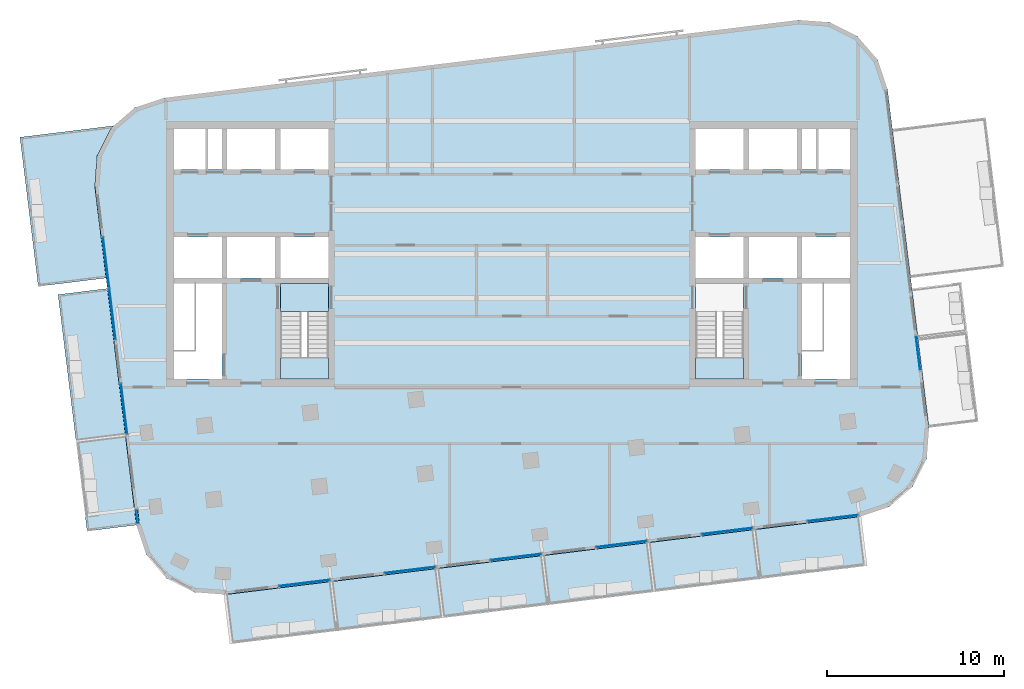
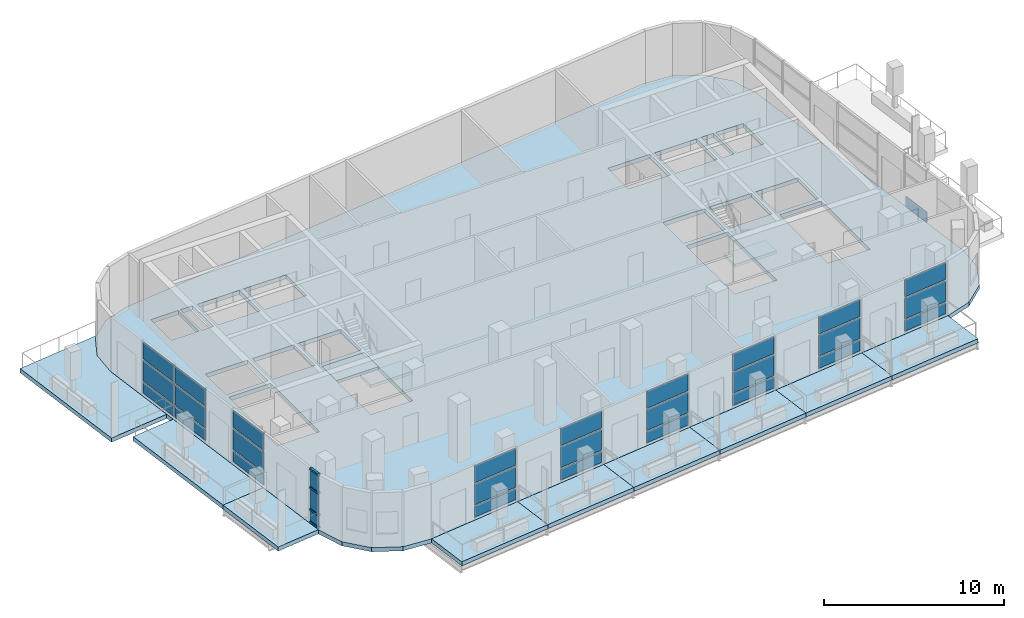
# One storey, part 5 of 13: 31 plates, 13 slabs, 4 members, 12 elements without a shape of their own.
"""IFC4 building model written with IfcOpenShell, lengths in metres."""

from ifc_helpers import new_model, si_unit, direction, frame, origin, origin_2d, place, context, subcontext, project, spatial, polyline, rectangle, outline, extrude, material, layer, layer_set, material_profile, profile_set, type_object, element, aggregate, save


model = new_model("IFC4")

# Units and contexts
model_context = context("Model", 3, precision=1e-05, world=origin(), true_north=direction((0.0, 1.0)))
body_context = subcontext(model_context, "Body", "Model", "MODEL_VIEW")
ifc_project = project(units=[si_unit("LENGTHUNIT", "METRE"), si_unit("AREAUNIT", "SQUARE_METRE"), si_unit("VOLUMEUNIT", "CUBIC_METRE"), si_unit("PLANEANGLEUNIT", "RADIAN"), si_unit("MASSUNIT", "GRAM", prefix="KILO")], contexts=[model_context])

# Site, building, storey
site_placement = place(None, origin())
site = spatial("IfcSite", under=ifc_project, at=site_placement, CompositionType="ELEMENT")
building_placement = place(site_placement, origin())
building = spatial("IfcBuilding", under=site, at=building_placement, Name="Torana Hotel and Residences", CompositionType="ELEMENT")
storey_placement = place(building_placement, frame((0.0, 0.0, 342.60009765625)))
storey = spatial("IfcBuildingStorey", under=building, at=storey_placement, Name="L90", CompositionType="ELEMENT", Elevation=342.60009765625)

# Curtain wall, members
ifc_material_1 = material(Name="Dark anodised aluminium", Category="aluminium")
ifc_layer_1 = layer(ifc_material_1, 0.199951171875)
ifc_layer_set_1 = layer_set([ifc_layer_1], Name="CW3 SKY CLUB UNITISED CURTAIN WALL")
curtain_wall_type = type_object("IfcCurtainWallType", Name="CW3 SKY CLUB UNITISED CURTAIN WALL", PredefinedType="NOTDEFINED", material=ifc_layer_set_1)
curtain_wall_1_placement = place(storey_placement, origin())
curtain_wall_1 = element("IfcCurtainWall", 1, at=curtain_wall_1_placement, inside=storey, type_object=curtain_wall_type, Name="Curtain wall CW3 L90 e0.9-6", PredefinedType="NOTDEFINED")
ifc_material_2 = material(Name="Dark anodised aluminium", Category="aluminium")
ifc_material_profile = material_profile(ifc_material_2, rectangle(XDim=0.14990234375, YDim=0.1201171875, at=origin_2d()), Name="CW3 TRANSOM 150x120")
ifc_profile_set = profile_set([ifc_material_profile], Name="Dark anodised aluminium")
member_type = type_object("IfcMemberType", Name="CW3 TRANSOM 150x120", PredefinedType="USERDEFINED", material=ifc_profile_set)
member_1_placement = place(storey_placement, frame((-21.1640625, -21.9345703125, 0.059814453125), z_axis=(0.121868344815, -0.992546274252, 0.0), x_axis=(0.992546274252, 0.121868344815, 0.0)))
member_1 = element("IfcMember", 2, at=member_1_placement, type_object=member_type, Name="CW3 transom 1.1", ObjectType="TRANSOM", PredefinedType="USERDEFINED", context=body_context, shape_type="SweptSolid", body=[
    extrude(rectangle(XDim=0.14990234375, YDim=0.1201171875, at=origin_2d()), origin(), (0.0, 0.0, 1.0), 0.735107421875),
])
member_2_placement = place(storey_placement, frame((-21.1640625, -21.9345703125, 0.89990234375), z_axis=(0.121868344815, -0.992546274252, 0.0), x_axis=(0.992546274252, 0.121868344815, 0.0)))
member_2 = element("IfcMember", 3, at=member_2_placement, type_object=member_type, Name="CW3 transom 1.2", ObjectType="TRANSOM", PredefinedType="USERDEFINED", context=body_context, shape_type="SweptSolid", body=[
    extrude(rectangle(XDim=0.14990234375, YDim=0.1201171875, at=origin_2d()), origin(), (0.0, 0.0, 1.0), 0.735107421875),
])
member_3_placement = place(storey_placement, frame((-21.1640625, -21.9345703125, 2.39990234375), z_axis=(0.121868344815, -0.992546274252, 0.0), x_axis=(0.992546274252, 0.121868344815, 0.0)))
member_3 = element("IfcMember", 4, at=member_3_placement, type_object=member_type, Name="CW3 transom 1.3", ObjectType="TRANSOM", PredefinedType="USERDEFINED", context=body_context, shape_type="SweptSolid", body=[
    extrude(rectangle(XDim=0.14990234375, YDim=0.1201171875, at=origin_2d()), origin(), (0.0, 0.0, 1.0), 0.735107421875),
])
member_4_placement = place(storey_placement, frame((-21.1640625, -21.9345703125, 3.659912109375), z_axis=(0.121868344815, -0.992546274252, 0.0), x_axis=(0.992546274252, 0.121868344815, 0.0)))
member_4 = element("IfcMember", 5, at=member_4_placement, type_object=member_type, Name="CW3 transom 1.4", ObjectType="TRANSOM", PredefinedType="USERDEFINED", context=body_context, shape_type="SweptSolid", body=[
    extrude(rectangle(XDim=0.14990234375, YDim=0.1201171875, at=origin_2d()), origin(), (0.0, 0.0, 1.0), 0.735107421875),
])

# Slabs
ifc_material_3 = material(Name="Concrete C40/50", Category="concrete")
ifc_layer_2 = layer(ifc_material_3, 0.280029296875)
ifc_layer_set_2 = layer_set([ifc_layer_2], Name="BAL1 BALCONY SLAB 280")
slab_type_1 = type_object("IfcSlabType", Name="BAL1 BALCONY SLAB 280", PredefinedType="USERDEFINED", material=ifc_layer_set_2)
slab_1_placement = place(storey_placement, frame((0.0, 0.0, -0.280029296875)))
element("IfcSlab", 6, at=slab_1_placement, inside=storey, type_object=slab_type_1, Name="Balcony 01", ObjectType="BALCONY", PredefinedType="USERDEFINED", context=body_context, shape_type="SweptSolid", body=[
    extrude(outline(polyline([(-15.80615234375, -29.4677734375), (-9.85107421875, -28.736572265625), (-10.192138671875, -25.957275390625), (-16.1474609375, -26.6884765625), (-15.80615234375, -29.4677734375)])), origin(), (0.0, 0.0, 1.0), 0.280029296875),
])
slab_2_placement = place(storey_placement, frame((0.0, 0.0, -0.280029296875)))
element("IfcSlab", 7, at=slab_2_placement, inside=storey, type_object=slab_type_1, Name="Balcony 02", ObjectType="BALCONY", PredefinedType="USERDEFINED", context=body_context, shape_type="SweptSolid", body=[
    extrude(outline(polyline([(-9.85107421875, -28.736572265625), (-3.895751953125, -28.005126953125), (-4.23681640625, -25.22607421875), (-10.192138671875, -25.957275390625), (-9.85107421875, -28.736572265625)])), origin(), (0.0, 0.0, 1.0), 0.280029296875),
])
slab_3_placement = place(storey_placement, frame((0.0, 0.0, -0.280029296875)))
element("IfcSlab", 8, at=slab_3_placement, inside=storey, type_object=slab_type_1, Name="Balcony 03", ObjectType="BALCONY", PredefinedType="USERDEFINED", context=body_context, shape_type="SweptSolid", body=[
    extrude(outline(polyline([(-3.895751953125, -28.005126953125), (2.0595703125, -27.27392578125), (1.718505859375, -24.494873046875), (-4.23681640625, -25.22607421875), (-3.895751953125, -28.005126953125)])), origin(), (0.0, 0.0, 1.0), 0.280029296875),
])
slab_4_placement = place(storey_placement, frame((0.0, 0.0, -0.280029296875)))
element("IfcSlab", 9, at=slab_4_placement, inside=storey, type_object=slab_type_1, Name="Balcony 04", ObjectType="BALCONY", PredefinedType="USERDEFINED", context=body_context, shape_type="SweptSolid", body=[
    extrude(outline(polyline([(2.0595703125, -27.27392578125), (8.014892578125, -26.542724609375), (7.673583984375, -23.763671875), (1.718505859375, -24.494873046875), (2.0595703125, -27.27392578125)])), origin(), (0.0, 0.0, 1.0), 0.280029296875),
])
slab_5_placement = place(storey_placement, frame((0.0, 0.0, -0.280029296875)))
element("IfcSlab", 10, at=slab_5_placement, inside=storey, type_object=slab_type_1, Name="Balcony 05", ObjectType="BALCONY", PredefinedType="USERDEFINED", context=body_context, shape_type="SweptSolid", body=[
    extrude(outline(polyline([(8.014892578125, -26.542724609375), (13.97021484375, -25.8115234375), (13.62890625, -23.032470703125), (7.673583984375, -23.763671875), (8.014892578125, -26.542724609375)])), origin(), (0.0, 0.0, 1.0), 0.280029296875),
])
slab_6_placement = place(storey_placement, frame((0.0, 0.0, -0.280029296875)))
element("IfcSlab", 11, at=slab_6_placement, inside=storey, type_object=slab_type_1, Name="Balcony 06", ObjectType="BALCONY", PredefinedType="USERDEFINED", context=body_context, shape_type="SweptSolid", body=[
    extrude(outline(polyline([(13.97021484375, -25.8115234375), (19.92529296875, -25.080322265625), (19.584228515625, -22.30126953125), (13.62890625, -23.032470703125), (13.97021484375, -25.8115234375)])), origin(), (0.0, 0.0, 1.0), 0.280029296875),
])
slab_7_placement = place(storey_placement, frame((0.0, 0.0, -0.280029296875)))
element("IfcSlab", 12, at=slab_7_placement, inside=storey, type_object=slab_type_1, Name="Balcony 07", ObjectType="BALCONY", PredefinedType="USERDEFINED", context=body_context, shape_type="SweptSolid", body=[
    extrude(outline(polyline([(-23.94140625, -23.11181640625), (-21.162353515625, -22.7705078125), (-21.783935546875, -17.70849609375), (-24.56298828125, -18.0498046875), (-23.94140625, -23.11181640625)])), origin(), (0.0, 0.0, 1.0), 0.280029296875),
])
slab_8_placement = place(storey_placement, frame((0.0, 0.0, -0.280029296875)))
element("IfcSlab", 13, at=slab_8_placement, inside=storey, type_object=slab_type_1, Name="Balcony 08", ObjectType="BALCONY", PredefinedType="USERDEFINED", context=body_context, shape_type="SweptSolid", body=[
    extrude(outline(polyline([(-24.56298828125, -18.0498046875), (-21.783935546875, -17.70849609375), (-22.79833984375, -9.445556640625), (-25.57763671875, -9.786865234375), (-24.56298828125, -18.0498046875)])), origin(), (0.0, 0.0, 1.0), 0.280029296875),
])
slab_9_placement = place(storey_placement, frame((0.0, 0.0, -0.280029296875)))
element("IfcSlab", 14, at=slab_9_placement, inside=storey, type_object=slab_type_1, Name="Balcony 09", ObjectType="BALCONY", PredefinedType="USERDEFINED", context=body_context, shape_type="SweptSolid", body=[
    extrude(outline(polyline([(-26.69287109375, -9.319091796875), (-22.87158203125, -8.85009765625), (-23.502197265625, -3.713623046875), (-23.3720703125, -1.962646484375), (-22.581787109375, -0.394775390625), (-22.43701171875, -0.27001953125), (-27.724365234375, -0.919189453125), (-26.69287109375, -9.319091796875)])), origin(), (0.0, 0.0, 1.0), 0.280029296875),
])

# Curtain wall, plates
curtain_wall_2_placement = place(storey_placement, origin())
curtain_wall_2 = element("IfcCurtainWall", 15, at=curtain_wall_2_placement, inside=storey, type_object=curtain_wall_type, Name="Curtain wall CW3 L90 e0.9-2", PredefinedType="NOTDEFINED")
ifc_material_4 = material(Name="Glass dark tinted double glazed unit", Category="glass")
ifc_layer_3 = layer(ifc_material_4, 0.031982421875)
ifc_layer_set_3 = layer_set([ifc_layer_3], Name="CW3 DARK GLASS PANEL 32")
plate_type = type_object("IfcPlateType", Name="CW3 DARK GLASS PANEL 32", PredefinedType="CURTAIN_PANEL", material=ifc_layer_set_3)
plate_1_placement = place(storey_placement, frame((-22.876953125, -7.986083984375, 0.1201171875), z_axis=(0.0, 0.0, 1.0), x_axis=(0.121875529794, -0.992545392029, 0.0)))
plate_1 = element("IfcPlate", 16, at=plate_1_placement, type_object=plate_type, Name="CW3 panel 1.1", PredefinedType="CURTAIN_PANEL", context=body_context, shape_type="SweptSolid", body=[
    extrude(rectangle(XDim=2.853759765625, YDim=0.031982421875, at=origin_2d()), origin(), (0.0, 0.0, 1.0), 0.719970703125),
])
plate_2_placement = place(storey_placement, frame((-22.876953125, -7.986083984375, 0.9599609375), z_axis=(0.0, 0.0, 1.0), x_axis=(0.121875529794, -0.992545392029, 0.0)))
plate_2 = element("IfcPlate", 17, at=plate_2_placement, type_object=plate_type, Name="CW3 panel 1.2", PredefinedType="CURTAIN_PANEL", context=body_context, shape_type="SweptSolid", body=[
    extrude(rectangle(XDim=2.853759765625, YDim=0.031982421875, at=origin_2d()), origin(), (0.0, 0.0, 1.0), 1.3798828125),
])
plate_3_placement = place(storey_placement, frame((-22.876953125, -7.986083984375, 2.4599609375), z_axis=(0.0, 0.0, 1.0), x_axis=(0.121875529794, -0.992545392029, 0.0)))
plate_3 = element("IfcPlate", 18, at=plate_3_placement, type_object=plate_type, Name="CW3 panel 1.3", PredefinedType="CURTAIN_PANEL", context=body_context, shape_type="SweptSolid", body=[
    extrude(rectangle(XDim=2.853759765625, YDim=0.031982421875, at=origin_2d()), origin(), (0.0, 0.0, 1.0), 1.139892578125),
])
plate_4_placement = place(storey_placement, frame((-22.5205078125, -10.88818359375, 0.1201171875), z_axis=(0.0, 0.0, 1.0), x_axis=(0.121875529794, -0.992545392029, 0.0)))
plate_4 = element("IfcPlate", 19, at=plate_4_placement, type_object=plate_type, Name="CW3 panel 2.1", PredefinedType="CURTAIN_PANEL", context=body_context, shape_type="SweptSolid", body=[
    extrude(rectangle(XDim=2.853759765625, YDim=0.031982421875, at=origin_2d()), origin(), (0.0, 0.0, 1.0), 0.719970703125),
])
plate_5_placement = place(storey_placement, frame((-22.5205078125, -10.88818359375, 0.9599609375), z_axis=(0.0, 0.0, 1.0), x_axis=(0.121875529794, -0.992545392029, 0.0)))
plate_5 = element("IfcPlate", 20, at=plate_5_placement, type_object=plate_type, Name="CW3 panel 2.2", PredefinedType="CURTAIN_PANEL", context=body_context, shape_type="SweptSolid", body=[
    extrude(rectangle(XDim=2.853759765625, YDim=0.031982421875, at=origin_2d()), origin(), (0.0, 0.0, 1.0), 1.3798828125),
])
plate_6_placement = place(storey_placement, frame((-22.5205078125, -10.88818359375, 2.4599609375), z_axis=(0.0, 0.0, 1.0), x_axis=(0.121875529794, -0.992545392029, 0.0)))
plate_6 = element("IfcPlate", 21, at=plate_6_placement, type_object=plate_type, Name="CW3 panel 2.3", PredefinedType="CURTAIN_PANEL", context=body_context, shape_type="SweptSolid", body=[
    extrude(rectangle(XDim=2.853759765625, YDim=0.031982421875, at=origin_2d()), origin(), (0.0, 0.0, 1.0), 1.139892578125),
])
aggregate(curtain_wall_2, [plate_1, plate_2, plate_3, plate_4, plate_5, plate_6])

curtain_wall_3_placement = place(storey_placement, origin())
curtain_wall_3 = element("IfcCurtainWall", 22, at=curtain_wall_3_placement, inside=storey, type_object=curtain_wall_type, Name="Curtain wall CW3 L90 e0.9-4", PredefinedType="NOTDEFINED")
plate_7_placement = place(storey_placement, frame((-21.864990234375, -16.22607421875, 0.1201171875), z_axis=(0.0, 0.0, 1.0), x_axis=(0.121857464048, -0.992547610171, 0.0)))
plate_7 = element("IfcPlate", 23, at=plate_7_placement, type_object=plate_type, Name="CW3 panel 1.1", PredefinedType="CURTAIN_PANEL", context=body_context, shape_type="SweptSolid", body=[
    extrude(rectangle(XDim=2.822509765625, YDim=0.031982421875, at=origin_2d()), origin(), (0.0, 0.0, 1.0), 0.719970703125),
])
plate_8_placement = place(storey_placement, frame((-21.864990234375, -16.22607421875, 0.9599609375), z_axis=(0.0, 0.0, 1.0), x_axis=(0.121857464048, -0.992547610171, 0.0)))
plate_8 = element("IfcPlate", 24, at=plate_8_placement, type_object=plate_type, Name="CW3 panel 1.2", PredefinedType="CURTAIN_PANEL", context=body_context, shape_type="SweptSolid", body=[
    extrude(rectangle(XDim=2.822509765625, YDim=0.031982421875, at=origin_2d()), origin(), (0.0, 0.0, 1.0), 1.3798828125),
])
plate_9_placement = place(storey_placement, frame((-21.864990234375, -16.22607421875, 2.4599609375), z_axis=(0.0, 0.0, 1.0), x_axis=(0.121857464048, -0.992547610171, 0.0)))
plate_9 = element("IfcPlate", 25, at=plate_9_placement, type_object=plate_type, Name="CW3 panel 1.3", PredefinedType="CURTAIN_PANEL", context=body_context, shape_type="SweptSolid", body=[
    extrude(rectangle(XDim=2.822509765625, YDim=0.031982421875, at=origin_2d()), origin(), (0.0, 0.0, 1.0), 1.139892578125),
])
aggregate(curtain_wall_3, [plate_7, plate_8, plate_9])

# Plate
plate_10_placement = place(storey_placement, frame((-21.119384765625, -22.299560546875, 0.1201171875), z_axis=(0.0, 0.0, 1.0), x_axis=(0.121883404477, -0.992544425058, 0.0)))
plate_10 = element("IfcPlate", 26, at=plate_10_placement, type_object=plate_type, Name="CW3 panel 1.1", PredefinedType="CURTAIN_PANEL", context=body_context, shape_type="SweptSolid", body=[
    extrude(rectangle(XDim=0.7353515625, YDim=0.031982421875, at=origin_2d()), origin(), (0.0, 0.0, 1.0), 0.719970703125),
])

plate_11_placement = place(storey_placement, frame((-21.119384765625, -22.299560546875, 0.9599609375), z_axis=(0.0, 0.0, 1.0), x_axis=(0.121883404477, -0.992544425058, 0.0)))
plate_11 = element("IfcPlate", 27, at=plate_11_placement, type_object=plate_type, Name="CW3 panel 1.2", PredefinedType="CURTAIN_PANEL", context=body_context, shape_type="SweptSolid", body=[
    extrude(rectangle(XDim=0.7353515625, YDim=0.031982421875, at=origin_2d()), origin(), (0.0, 0.0, 1.0), 1.3798828125),
])

plate_12_placement = place(storey_placement, frame((-21.119384765625, -22.299560546875, 2.4599609375), z_axis=(0.0, 0.0, 1.0), x_axis=(0.121883404477, -0.992544425058, 0.0)))
plate_12 = element("IfcPlate", 28, at=plate_12_placement, type_object=plate_type, Name="CW3 panel 1.3", PredefinedType="CURTAIN_PANEL", context=body_context, shape_type="SweptSolid", body=[
    extrude(rectangle(XDim=0.7353515625, YDim=0.031982421875, at=origin_2d()), origin(), (0.0, 0.0, 1.0), 1.139892578125),
])

aggregate(curtain_wall_1, [member_1, member_2, member_3, member_4, plate_10, plate_11, plate_12])

# Curtain wall, plates
curtain_wall_4_placement = place(storey_placement, origin())
curtain_wall_4 = element("IfcCurtainWall", 29, at=curtain_wall_4_placement, inside=storey, type_object=curtain_wall_type, Name="Curtain wall CW3 L90 e0.14-2", PredefinedType="NOTDEFINED")
plate_13_placement = place(storey_placement, frame((-11.693115234375, -26.040771484375, 0.1201171875), z_axis=(0.0, 0.0, 1.0), x_axis=(0.992546285043, 0.121868256929, 0.0)))
plate_13 = element("IfcPlate", 30, at=plate_13_placement, type_object=plate_type, Name="CW3 panel 1.1", PredefinedType="CURTAIN_PANEL", context=body_context, shape_type="SweptSolid", body=[
    extrude(rectangle(XDim=2.85986328125, YDim=0.031982421875, at=origin_2d()), origin(), (0.0, 0.0, 1.0), 0.719970703125),
])
plate_14_placement = place(storey_placement, frame((-11.693115234375, -26.040771484375, 0.9599609375), z_axis=(0.0, 0.0, 1.0), x_axis=(0.992546285043, 0.121868256929, 0.0)))
plate_14 = element("IfcPlate", 31, at=plate_14_placement, type_object=plate_type, Name="CW3 panel 1.2", PredefinedType="CURTAIN_PANEL", context=body_context, shape_type="SweptSolid", body=[
    extrude(rectangle(XDim=2.85986328125, YDim=0.031982421875, at=origin_2d()), origin(), (0.0, 0.0, 1.0), 1.3798828125),
])
plate_15_placement = place(storey_placement, frame((-11.693115234375, -26.040771484375, 2.4599609375), z_axis=(0.0, 0.0, 1.0), x_axis=(0.992546285043, 0.121868256929, 0.0)))
plate_15 = element("IfcPlate", 32, at=plate_15_placement, type_object=plate_type, Name="CW3 panel 1.3", PredefinedType="CURTAIN_PANEL", context=body_context, shape_type="SweptSolid", body=[
    extrude(rectangle(XDim=2.85986328125, YDim=0.031982421875, at=origin_2d()), origin(), (0.0, 0.0, 1.0), 1.139892578125),
])
aggregate(curtain_wall_4, [plate_13, plate_14, plate_15])

curtain_wall_5_placement = place(storey_placement, origin())
curtain_wall_5 = element("IfcCurtainWall", 33, at=curtain_wall_5_placement, inside=storey, type_object=curtain_wall_type, Name="Curtain wall CW3 L90 e0.14-4", PredefinedType="NOTDEFINED")
plate_16_placement = place(storey_placement, frame((-5.738037109375, -25.3095703125, 0.1201171875), z_axis=(0.0, 0.0, 1.0), x_axis=(0.992546780088, 0.121864225005, 0.0)))
plate_16 = element("IfcPlate", 34, at=plate_16_placement, type_object=plate_type, Name="CW3 panel 1.1", PredefinedType="CURTAIN_PANEL", context=body_context, shape_type="SweptSolid", body=[
    extrude(rectangle(XDim=2.860107421875, YDim=0.031982421875, at=origin_2d()), origin(), (0.0, 0.0, 1.0), 0.719970703125),
])
plate_17_placement = place(storey_placement, frame((-5.738037109375, -25.3095703125, 0.9599609375), z_axis=(0.0, 0.0, 1.0), x_axis=(0.992546780088, 0.121864225005, 0.0)))
plate_17 = element("IfcPlate", 35, at=plate_17_placement, type_object=plate_type, Name="CW3 panel 1.2", PredefinedType="CURTAIN_PANEL", context=body_context, shape_type="SweptSolid", body=[
    extrude(rectangle(XDim=2.860107421875, YDim=0.031982421875, at=origin_2d()), origin(), (0.0, 0.0, 1.0), 1.3798828125),
])
plate_18_placement = place(storey_placement, frame((-5.738037109375, -25.3095703125, 2.4599609375), z_axis=(0.0, 0.0, 1.0), x_axis=(0.992546780088, 0.121864225005, 0.0)))
plate_18 = element("IfcPlate", 36, at=plate_18_placement, type_object=plate_type, Name="CW3 panel 1.3", PredefinedType="CURTAIN_PANEL", context=body_context, shape_type="SweptSolid", body=[
    extrude(rectangle(XDim=2.860107421875, YDim=0.031982421875, at=origin_2d()), origin(), (0.0, 0.0, 1.0), 1.139892578125),
])
aggregate(curtain_wall_5, [plate_16, plate_17, plate_18])

curtain_wall_6_placement = place(storey_placement, origin())
curtain_wall_6 = element("IfcCurtainWall", 37, at=curtain_wall_6_placement, inside=storey, type_object=curtain_wall_type, Name="Curtain wall CW3 L90 e0.14-6", PredefinedType="NOTDEFINED")
plate_19_placement = place(storey_placement, frame((0.21728515625, -24.578369140625, 0.1201171875), z_axis=(0.0, 0.0, 1.0), x_axis=(0.992546780088, 0.121864225005, 0.0)))
plate_19 = element("IfcPlate", 38, at=plate_19_placement, type_object=plate_type, Name="CW3 panel 1.1", PredefinedType="CURTAIN_PANEL", context=body_context, shape_type="SweptSolid", body=[
    extrude(rectangle(XDim=2.860107421875, YDim=0.031982421875, at=origin_2d()), origin(), (0.0, 0.0, 1.0), 0.719970703125),
])
plate_20_placement = place(storey_placement, frame((0.21728515625, -24.578369140625, 0.9599609375), z_axis=(0.0, 0.0, 1.0), x_axis=(0.992546780088, 0.121864225005, 0.0)))
plate_20 = element("IfcPlate", 39, at=plate_20_placement, type_object=plate_type, Name="CW3 panel 1.2", PredefinedType="CURTAIN_PANEL", context=body_context, shape_type="SweptSolid", body=[
    extrude(rectangle(XDim=2.860107421875, YDim=0.031982421875, at=origin_2d()), origin(), (0.0, 0.0, 1.0), 1.3798828125),
])
plate_21_placement = place(storey_placement, frame((0.21728515625, -24.578369140625, 2.4599609375), z_axis=(0.0, 0.0, 1.0), x_axis=(0.992546780088, 0.121864225005, 0.0)))
plate_21 = element("IfcPlate", 40, at=plate_21_placement, type_object=plate_type, Name="CW3 panel 1.3", PredefinedType="CURTAIN_PANEL", context=body_context, shape_type="SweptSolid", body=[
    extrude(rectangle(XDim=2.860107421875, YDim=0.031982421875, at=origin_2d()), origin(), (0.0, 0.0, 1.0), 1.139892578125),
])
aggregate(curtain_wall_6, [plate_19, plate_20, plate_21])

curtain_wall_7_placement = place(storey_placement, origin())
curtain_wall_7 = element("IfcCurtainWall", 41, at=curtain_wall_7_placement, inside=storey, type_object=curtain_wall_type, Name="Curtain wall CW3 L90 e0.14-8", PredefinedType="NOTDEFINED")
plate_22_placement = place(storey_placement, frame((6.172607421875, -23.84716796875, 0.1201171875), z_axis=(0.0, 0.0, 1.0), x_axis=(0.992546285043, 0.121868256929, 0.0)))
plate_22 = element("IfcPlate", 42, at=plate_22_placement, type_object=plate_type, Name="CW3 panel 1.1", PredefinedType="CURTAIN_PANEL", context=body_context, shape_type="SweptSolid", body=[
    extrude(rectangle(XDim=2.85986328125, YDim=0.031982421875, at=origin_2d()), origin(), (0.0, 0.0, 1.0), 0.719970703125),
])
plate_23_placement = place(storey_placement, frame((6.172607421875, -23.84716796875, 0.9599609375), z_axis=(0.0, 0.0, 1.0), x_axis=(0.992546285043, 0.121868256929, 0.0)))
plate_23 = element("IfcPlate", 43, at=plate_23_placement, type_object=plate_type, Name="CW3 panel 1.2", PredefinedType="CURTAIN_PANEL", context=body_context, shape_type="SweptSolid", body=[
    extrude(rectangle(XDim=2.85986328125, YDim=0.031982421875, at=origin_2d()), origin(), (0.0, 0.0, 1.0), 1.3798828125),
])
plate_24_placement = place(storey_placement, frame((6.172607421875, -23.84716796875, 2.4599609375), z_axis=(0.0, 0.0, 1.0), x_axis=(0.992546285043, 0.121868256929, 0.0)))
plate_24 = element("IfcPlate", 44, at=plate_24_placement, type_object=plate_type, Name="CW3 panel 1.3", PredefinedType="CURTAIN_PANEL", context=body_context, shape_type="SweptSolid", body=[
    extrude(rectangle(XDim=2.85986328125, YDim=0.031982421875, at=origin_2d()), origin(), (0.0, 0.0, 1.0), 1.139892578125),
])
aggregate(curtain_wall_7, [plate_22, plate_23, plate_24])

curtain_wall_8_placement = place(storey_placement, origin())
curtain_wall_8 = element("IfcCurtainWall", 45, at=curtain_wall_8_placement, inside=storey, type_object=curtain_wall_type, Name="Curtain wall CW3 L90 e0.14-10", PredefinedType="NOTDEFINED")
plate_25_placement = place(storey_placement, frame((12.1279296875, -23.115966796875, 0.1201171875), z_axis=(0.0, 0.0, 1.0), x_axis=(0.992546285043, 0.121868256929, 0.0)))
plate_25 = element("IfcPlate", 46, at=plate_25_placement, type_object=plate_type, Name="CW3 panel 1.1", PredefinedType="CURTAIN_PANEL", context=body_context, shape_type="SweptSolid", body=[
    extrude(rectangle(XDim=2.85986328125, YDim=0.031982421875, at=origin_2d()), origin(), (0.0, 0.0, 1.0), 0.719970703125),
])
plate_26_placement = place(storey_placement, frame((12.1279296875, -23.115966796875, 0.9599609375), z_axis=(0.0, 0.0, 1.0), x_axis=(0.992546285043, 0.121868256929, 0.0)))
plate_26 = element("IfcPlate", 47, at=plate_26_placement, type_object=plate_type, Name="CW3 panel 1.2", PredefinedType="CURTAIN_PANEL", context=body_context, shape_type="SweptSolid", body=[
    extrude(rectangle(XDim=2.85986328125, YDim=0.031982421875, at=origin_2d()), origin(), (0.0, 0.0, 1.0), 1.3798828125),
])
plate_27_placement = place(storey_placement, frame((12.1279296875, -23.115966796875, 2.4599609375), z_axis=(0.0, 0.0, 1.0), x_axis=(0.992546285043, 0.121868256929, 0.0)))
plate_27 = element("IfcPlate", 48, at=plate_27_placement, type_object=plate_type, Name="CW3 panel 1.3", PredefinedType="CURTAIN_PANEL", context=body_context, shape_type="SweptSolid", body=[
    extrude(rectangle(XDim=2.85986328125, YDim=0.031982421875, at=origin_2d()), origin(), (0.0, 0.0, 1.0), 1.139892578125),
])
aggregate(curtain_wall_8, [plate_25, plate_26, plate_27])

curtain_wall_9_placement = place(storey_placement, origin())
curtain_wall_9 = element("IfcCurtainWall", 49, at=curtain_wall_9_placement, inside=storey, type_object=curtain_wall_type, Name="Curtain wall CW3 L90 e0.14-12", PredefinedType="NOTDEFINED")
plate_28_placement = place(storey_placement, frame((18.071044921875, -22.38623046875, 0.1201171875), z_axis=(0.0, 0.0, 1.0), x_axis=(0.992546950189, 0.121862839581, 0.0)))
plate_28 = element("IfcPlate", 50, at=plate_28_placement, type_object=plate_type, Name="CW3 panel 1.1", PredefinedType="CURTAIN_PANEL", context=body_context, shape_type="SweptSolid", body=[
    extrude(rectangle(XDim=2.83544921875, YDim=0.031982421875, at=origin_2d()), origin(), (0.0, 0.0, 1.0), 0.719970703125),
])
plate_29_placement = place(storey_placement, frame((18.071044921875, -22.38623046875, 0.9599609375), z_axis=(0.0, 0.0, 1.0), x_axis=(0.992546950189, 0.121862839581, 0.0)))
plate_29 = element("IfcPlate", 51, at=plate_29_placement, type_object=plate_type, Name="CW3 panel 1.2", PredefinedType="CURTAIN_PANEL", context=body_context, shape_type="SweptSolid", body=[
    extrude(rectangle(XDim=2.83544921875, YDim=0.031982421875, at=origin_2d()), origin(), (0.0, 0.0, 1.0), 1.3798828125),
])
plate_30_placement = place(storey_placement, frame((18.071044921875, -22.38623046875, 2.4599609375), z_axis=(0.0, 0.0, 1.0), x_axis=(0.992546950189, 0.121862839581, 0.0)))
plate_30 = element("IfcPlate", 52, at=plate_30_placement, type_object=plate_type, Name="CW3 panel 1.3", PredefinedType="CURTAIN_PANEL", context=body_context, shape_type="SweptSolid", body=[
    extrude(rectangle(XDim=2.83544921875, YDim=0.031982421875, at=origin_2d()), origin(), (0.0, 0.0, 1.0), 1.139892578125),
])
aggregate(curtain_wall_9, [plate_28, plate_29, plate_30])

# Curtain wall, plate
curtain_wall_10_placement = place(storey_placement, origin())
curtain_wall_10 = element("IfcCurtainWall", 53, at=curtain_wall_10_placement, inside=storey, type_object=curtain_wall_type, Name="Curtain wall CW3 L90 e0.19-2", PredefinedType="NOTDEFINED")
plate_31_placement = place(storey_placement, frame((22.885009765625, -13.080322265625, 0.1201171875), z_axis=(0.0, 0.0, 1.0), x_axis=(-0.121912701141, 0.992540827019, 0.0)))
plate_31 = element("IfcPlate", 54, at=plate_31_placement, type_object=plate_type, Name="CW3 panel 1.1", PredefinedType="CURTAIN_PANEL", context=body_context, shape_type="SweptSolid", body=[
    extrude(rectangle(XDim=1.9599609375, YDim=0.031982421875, at=origin_2d()), origin(), (0.0, 0.0, 1.0), 0.719970703125),
])
aggregate(curtain_wall_10, [plate_31])

# Slab
ifc_material_5 = material(Name="Concrete C40/50", Category="concrete")
ifc_layer_4 = layer(ifc_material_5, 0.280029296875)
ifc_layer_set_4 = layer_set([ifc_layer_4], Name="FLOOR SLAB PT 280")
slab_type_2 = type_object("IfcSlabType", Name="FLOOR SLAB PT 280", PredefinedType="FLOOR", material=ifc_layer_set_4)
slab_10_placement = place(storey_placement, frame((0.0, 0.0, -0.280029296875)))
element("IfcSlab", 55, at=slab_10_placement, inside=storey, type_object=slab_type_2, Name="Floor slab", PredefinedType="FLOOR", context=body_context, shape_type="SweptSolid", body=[
    extrude(outline(polyline([(21.162353515625, 1.7705078125), (20.612548828125, 3.43798828125), (19.46630859375, 4.76806640625), (17.8984375, 5.558349609375), (16.1474609375, 5.6884765625), (-19.584228515625, 1.30126953125), (-21.251708984375, 0.75146484375), (-22.581787109375, -0.394775390625), (-23.3720703125, -1.962646484375), (-23.502197265625, -3.713623046875), (-21.162353515625, -22.7705078125), (-20.612548828125, -24.43798828125), (-19.46630859375, -25.76806640625), (-17.8984375, -26.558349609375), (-16.1474609375, -26.6884765625), (19.584228515625, -22.30126953125), (21.251708984375, -21.75146484375), (22.581787109375, -20.605224609375), (23.3720703125, -19.037353515625), (23.502197265625, -17.286376953125), (21.162353515625, 1.7705078125)]), holes=[polyline([(-13.050048828125, -14.550048828125), (-10.35009765625, -14.550048828125), (-10.35009765625, -9.14990234375), (-13.050048828125, -9.14990234375), (-13.050048828125, -14.550048828125)]), polyline([(-19.050048828125, -14.550048828125), (-16.35009765625, -14.550048828125), (-16.35009765625, -9.14990234375), (-19.050048828125, -9.14990234375), (-19.050048828125, -14.550048828125)]), polyline([(-17.125, -2.75), (-16.35009765625, -2.75), (-16.35009765625, -0.449951171875), (-17.125, -0.449951171875), (-17.125, -2.75)]), polyline([(-19.050048828125, -2.75), (-17.27490234375, -2.75), (-17.27490234375, -0.449951171875), (-19.050048828125, -0.449951171875), (-19.050048828125, -2.75)]), polyline([(-13.050048828125, -2.75), (-10.35009765625, -2.75), (-10.35009765625, -0.449951171875), (-13.050048828125, -0.449951171875), (-13.050048828125, -2.75)]), polyline([(-16.050048828125, -2.75), (-13.35009765625, -2.75), (-13.35009765625, -0.449951171875), (-16.050048828125, -0.449951171875), (-16.050048828125, -2.75)]), polyline([(-13.050048828125, -8.85009765625), (-10.35009765625, -8.85009765625), (-10.35009765625, -6.550048828125), (-13.050048828125, -6.550048828125), (-13.050048828125, -8.85009765625)]), polyline([(-16.050048828125, -8.85009765625), (-13.35009765625, -8.85009765625), (-13.35009765625, -6.550048828125), (-16.050048828125, -6.550048828125), (-16.050048828125, -8.85009765625)]), polyline([(-19.050048828125, -8.85009765625), (-16.35009765625, -8.85009765625), (-16.35009765625, -6.550048828125), (-19.050048828125, -6.550048828125), (-19.050048828125, -8.85009765625)]), polyline([(10.35009765625, -14.550048828125), (13.050048828125, -14.550048828125), (13.050048828125, -9.14990234375), (10.35009765625, -9.14990234375), (10.35009765625, -14.550048828125)]), polyline([(16.35009765625, -14.550048828125), (19.050048828125, -14.550048828125), (19.050048828125, -9.14990234375), (16.35009765625, -9.14990234375), (16.35009765625, -14.550048828125)]), polyline([(16.35009765625, -2.75), (17.125, -2.75), (17.125, -0.449951171875), (16.35009765625, -0.449951171875), (16.35009765625, -2.75)]), polyline([(17.27490234375, -2.75), (19.050048828125, -2.75), (19.050048828125, -0.449951171875), (17.27490234375, -0.449951171875), (17.27490234375, -2.75)]), polyline([(10.35009765625, -2.75), (13.050048828125, -2.75), (13.050048828125, -0.449951171875), (10.35009765625, -0.449951171875), (10.35009765625, -2.75)]), polyline([(13.35009765625, -2.75), (16.050048828125, -2.75), (16.050048828125, -0.449951171875), (13.35009765625, -0.449951171875), (13.35009765625, -2.75)]), polyline([(10.35009765625, -8.85009765625), (13.050048828125, -8.85009765625), (13.050048828125, -6.550048828125), (10.35009765625, -6.550048828125), (10.35009765625, -8.85009765625)]), polyline([(13.35009765625, -8.85009765625), (16.050048828125, -8.85009765625), (16.050048828125, -6.550048828125), (13.35009765625, -6.550048828125), (13.35009765625, -8.85009765625)]), polyline([(16.35009765625, -8.85009765625), (19.050048828125, -8.85009765625), (19.050048828125, -6.550048828125), (16.35009765625, -6.550048828125), (16.35009765625, -8.85009765625)])]), origin(), (0.0, 0.0, 1.0), 0.280029296875),
])

# Stair, slabs
ifc_material_6 = material(Name="Concrete C40/50 precast", Category="concrete")
stair_type_1 = type_object("IfcStairType", Name="STAIR ST1 HALF TURN 1200", PredefinedType="HALF_TURN_STAIR", material=ifc_material_6)
stair_1_placement = place(storey_placement, origin())
stair_1 = element("IfcStair", 56, at=stair_1_placement, inside=storey, type_object=stair_type_1, Name="Stair ST1 L90", PredefinedType="HALF_TURN_STAIR")
ifc_material_7 = material(Name="Concrete C40/50 precast", Category="concrete")
ifc_layer_5 = layer(ifc_material_7, 0.199951171875)
ifc_layer_set_5 = layer_set([ifc_layer_5], Name="STAIR LANDING 200")
slab_type_3 = type_object("IfcSlabType", Name="STAIR LANDING 200", PredefinedType="LANDING", material=ifc_layer_set_5)
slab_11_placement = place(storey_placement, frame((0.0, 0.0, 1.7998046875)))
slab_11 = element("IfcSlab", 57, at=slab_11_placement, type_object=slab_type_3, Name="ST1 landing 1", PredefinedType="LANDING", context=body_context, shape_type="SweptSolid", body=[
    extrude(outline(polyline([(-13.050048828125, -14.550048828125), (-10.35009765625, -14.550048828125), (-10.35009765625, -13.35009765625), (-13.050048828125, -13.35009765625), (-13.050048828125, -14.550048828125)])), origin(), (0.0, 0.0, 1.0), 0.2001953125),
])
slab_12_placement = place(storey_placement, frame((0.0, 0.0, -0.2001953125)))
slab_12 = element("IfcSlab", 58, at=slab_12_placement, type_object=slab_type_3, Name="ST1 landing 2", PredefinedType="LANDING", context=body_context, shape_type="SweptSolid", body=[
    extrude(outline(polyline([(-13.050048828125, -10.75), (-10.35009765625, -10.75), (-10.35009765625, -9.14990234375), (-13.050048828125, -9.14990234375), (-13.050048828125, -10.75)])), origin(), (0.0, 0.0, 1.0), 0.2001953125),
])
aggregate(stair_1, [slab_11, slab_12])

# Stair, slab
ifc_material_8 = material(Name="Concrete C40/50 precast", Category="concrete")
stair_type_2 = type_object("IfcStairType", Name="STAIR ST3 HALF TURN 1200", PredefinedType="HALF_TURN_STAIR", material=ifc_material_8)
stair_2_placement = place(storey_placement, origin())
stair_2 = element("IfcStair", 59, at=stair_2_placement, inside=storey, type_object=stair_type_2, Name="Stair ST3 L90", PredefinedType="HALF_TURN_STAIR")
slab_13_placement = place(storey_placement, frame((0.0, 0.0, 1.7998046875)))
slab_13 = element("IfcSlab", 60, at=slab_13_placement, type_object=slab_type_3, Name="ST3 landing 1", PredefinedType="LANDING", context=body_context, shape_type="SweptSolid", body=[
    extrude(outline(polyline([(10.35009765625, -14.550048828125), (13.050048828125, -14.550048828125), (13.050048828125, -13.35009765625), (10.35009765625, -13.35009765625), (10.35009765625, -14.550048828125)])), origin(), (0.0, 0.0, 1.0), 0.2001953125),
])
aggregate(stair_2, [slab_13])

save(model, "model.ifc")
